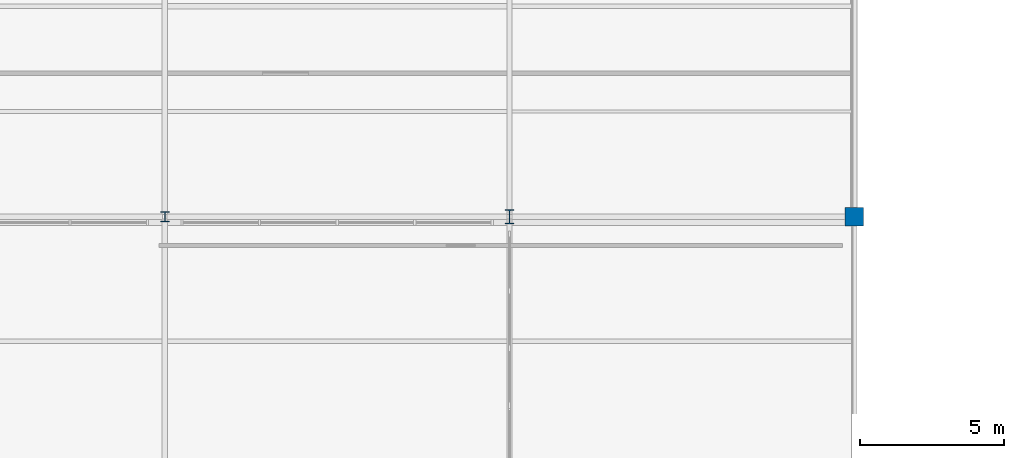
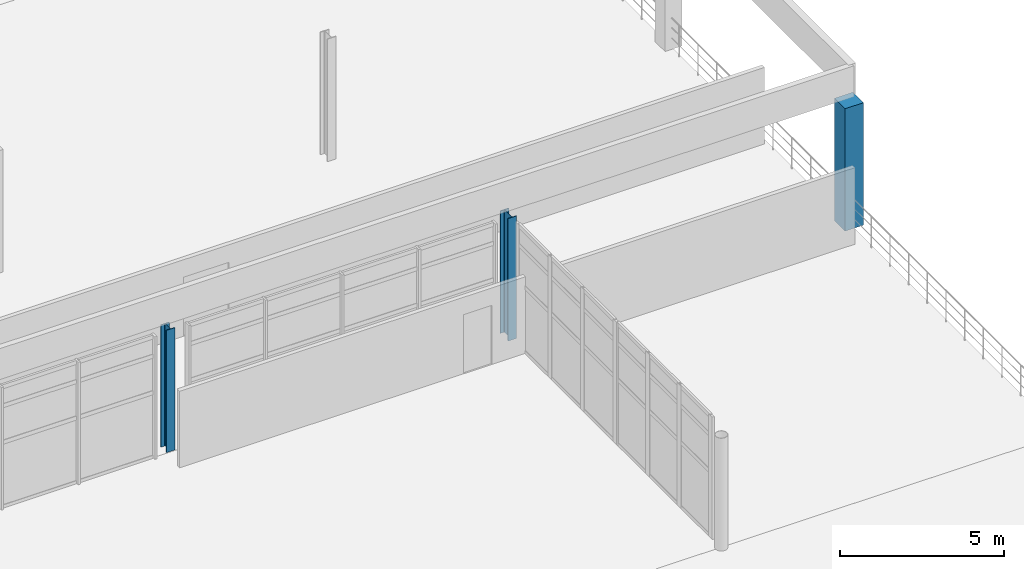
# One storey, part 10 of 89: 3 columns.
"""IFC4 building model written with IfcOpenShell, lengths in metres."""

from ifc_helpers import new_model, si_unit, direction, frame, origin, origin_2d, place, context, subcontext, project, spatial, rectangle, i_section, extrude, material, material_profile, profile_set, type_object, element, save


model = new_model("IFC4")

# Units and contexts
model_context = context("Model", 3, precision=1e-05, world=origin(), true_north=direction((0.0, 1.0)))
body_context = subcontext(model_context, "Body", "Model", "MODEL_VIEW")
ifc_project = project(units=[si_unit("LENGTHUNIT", "METRE"), si_unit("AREAUNIT", "SQUARE_METRE"), si_unit("VOLUMEUNIT", "CUBIC_METRE"), si_unit("PLANEANGLEUNIT", "RADIAN"), si_unit("MASSUNIT", "GRAM", prefix="KILO"), si_unit("THERMODYNAMICTEMPERATUREUNIT", "KELVIN"), si_unit("POWERUNIT", "WATT")], contexts=[model_context])

# Site, building, storey
site_placement = place(None, origin())
site = spatial("IfcSite", under=ifc_project, at=site_placement, CompositionType="ELEMENT")
building_placement = place(site_placement, origin())
building = spatial("IfcBuilding", under=site, at=building_placement, Name="Solmara Park Aquatics Centre", CompositionType="ELEMENT")
storey_placement = place(building_placement, frame((0.0, 0.0, 5.39990234375)))
storey = spatial("IfcBuildingStorey", under=building, at=storey_placement, Name="L01", CompositionType="ELEMENT", Elevation=5.39990234375)

# Columns
ifc_material_1 = material(Name="Structural Steel S355", Category="steel")
ifc_material_profile_1 = material_profile(ifc_material_1, i_section(OverallWidth=0.300048828125, OverallDepth=0.5, WebThickness=0.014404296875, FlangeThickness=0.028076171875, FilletRadius=0.027099609375, at=origin_2d()), Name="HEB 500")
ifc_profile_set_1 = profile_set([ifc_material_profile_1], Name="Structural Steel S355")
column_type_1 = type_object("IfcColumnType", Name="STR-COL-HEB500", PredefinedType="COLUMN", material=ifc_profile_set_1)
column_1_placement = place(storey_placement, frame((48.60009765625, 85.60009765625, 0.0), z_axis=(0.0, 0.0, 1.0), x_axis=(1.0, 0.0, 0.0)))
element("IfcColumn", 1, at=column_1_placement, inside=storey, type_object=column_type_1, Name="Column L01-0352", PredefinedType="COLUMN", context=body_context, shape_type="SweptSolid", body=[
    extrude(i_section(OverallWidth=0.300048828125, OverallDepth=0.5, WebThickness=0.014404296875, FlangeThickness=0.028076171875, FilletRadius=0.027099609375, at=origin_2d()), origin(), (0.0, 0.0, 1.0), 4.56005859375),
])
ifc_material_2 = material(Name="Concrete C40/50", Category="concrete")
ifc_material_profile_2 = material_profile(ifc_material_2, rectangle(XDim=0.64990234375, YDim=0.64990234375, at=origin_2d()), Name="RC 650x650")
ifc_profile_set_2 = profile_set([ifc_material_profile_2], Name="Concrete C40/50")
column_type_2 = type_object("IfcColumnType", Name="STR-COL-RC650", PredefinedType="COLUMN", material=ifc_profile_set_2)
column_2_placement = place(storey_placement, frame((60.60009765625, 85.60009765625, 0.0), z_axis=(0.0, 0.0, 1.0), x_axis=(1.0, 0.0, 0.0)))
element("IfcColumn", 2, at=column_2_placement, inside=storey, type_object=column_type_2, Name="Column L01-0362", PredefinedType="COLUMN", context=body_context, shape_type="SweptSolid", body=[
    extrude(rectangle(XDim=0.64990234375, YDim=0.64990234375, at=origin_2d()), origin(), (0.0, 0.0, 1.0), 4.56005859375),
])
ifc_material_profile_3 = material_profile(ifc_material_1, i_section(OverallWidth=0.300048828125, OverallDepth=0.360107421875, WebThickness=0.012451171875, FlangeThickness=0.0224609375, FilletRadius=0.027099609375, at=origin_2d()), Name="HEB 360")
ifc_profile_set_3 = profile_set([ifc_material_profile_3], Name="Structural Steel S355")
column_type_3 = type_object("IfcColumnType", Name="STR-PIL-HEB360", PredefinedType="PILASTER", material=ifc_profile_set_3)
column_3_placement = place(storey_placement, frame((36.60009765625, 85.60009765625, 0.0), z_axis=(0.0, 0.0, 1.0), x_axis=(1.0, 0.0, 0.0)))
element("IfcColumn", 3, at=column_3_placement, inside=storey, type_object=column_type_3, Name="Column L01-0342", PredefinedType="PILASTER", context=body_context, shape_type="SweptSolid", body=[
    extrude(i_section(OverallWidth=0.300048828125, OverallDepth=0.360107421875, WebThickness=0.012451171875, FlangeThickness=0.0224609375, FilletRadius=0.027099609375, at=origin_2d()), origin(), (0.0, 0.0, 1.0), 4.56005859375),
])

save(model, "model.ifc")
